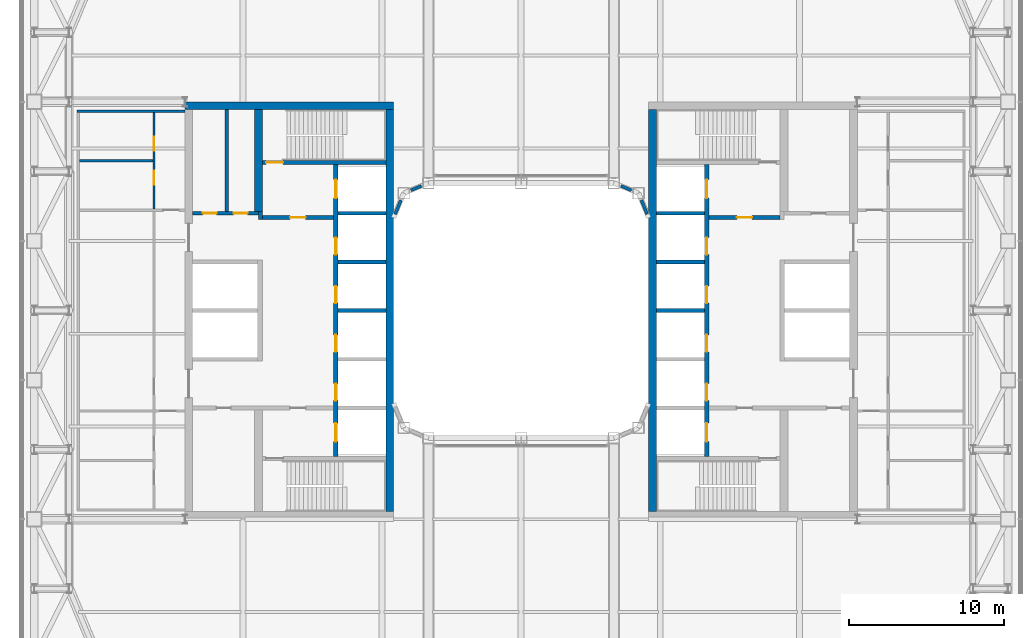
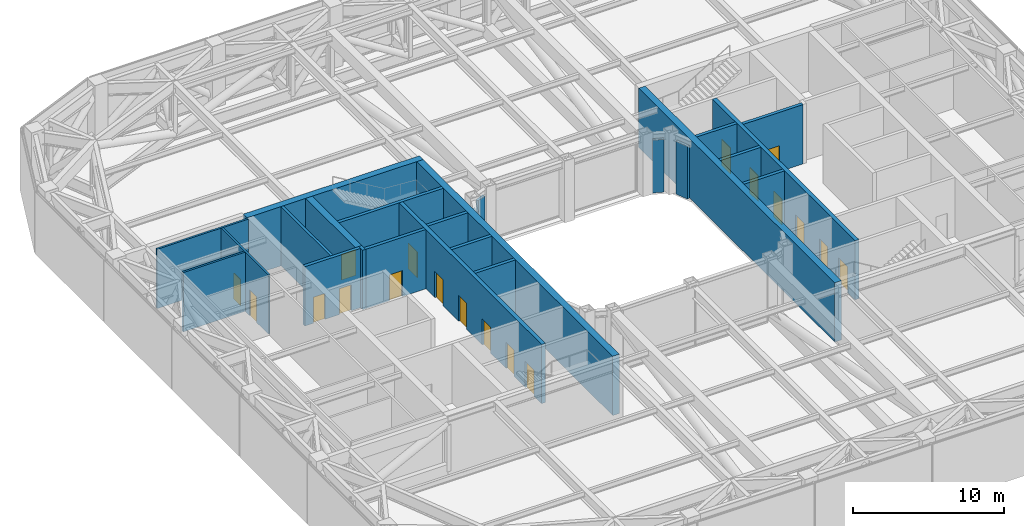
# One storey, part 17 of 33: 25 walls, 19 doors, 19 openings.
"""IFC4 building model written with IfcOpenShell, lengths in metres."""

from ifc_helpers import new_model, si_unit, direction, frame, frame_2d, origin, place, context, subcontext, project, spatial, rectangle, extrude, material, layer, layer_set, type_object, element, fill, save


model = new_model("IFC4")

# Units and contexts
model_context = context("Model", 3, precision=1e-05, world=origin(), true_north=direction((0.0, 1.0)))
body_context = subcontext(model_context, "Body", "Model", "MODEL_VIEW")
ifc_project = project(units=[si_unit("LENGTHUNIT", "METRE"), si_unit("AREAUNIT", "SQUARE_METRE"), si_unit("VOLUMEUNIT", "CUBIC_METRE"), si_unit("PLANEANGLEUNIT", "RADIAN"), si_unit("MASSUNIT", "GRAM", prefix="KILO")], contexts=[model_context])

# Site, building, storey
site_placement = place(None, origin())
site = spatial("IfcSite", under=ifc_project, at=site_placement, CompositionType="ELEMENT")
building_placement = place(site_placement, origin())
building = spatial("IfcBuilding", under=site, at=building_placement, Name="Siwar Civic Tower", CompositionType="ELEMENT")
storey_placement = place(building_placement, frame((0.0, 0.0, 94.199951171875)))
storey = spatial("IfcBuildingStorey", under=building, at=storey_placement, Name="L20", CompositionType="ELEMENT", Elevation=94.199951171875)

# Walls
ifc_material_1 = material(Name="Gypsum board on steel studs", Category="steel")
ifc_layer_1 = layer(ifc_material_1, 0.14990234375)
ifc_layer_set_1 = layer_set([ifc_layer_1], Name="Gypsum board on steel studs")
wall_type_1 = type_object("IfcWallType", Name="COMPARTMENT PARTITION 150 EI 60", PredefinedType="PARTITIONING", material=ifc_layer_set_1)
wall_1_placement = place(storey_placement, frame((-28.574951171875, 9.699951171875, 0.0), z_axis=(0.0, 0.0, 1.0), x_axis=(1.0, 0.0, 0.0)))
element("IfcWall", 1, at=wall_1_placement, inside=storey, type_object=wall_type_1, Name="L20/wall/P09", PredefinedType="PARTITIONING", context=body_context, shape_type="SweptSolid", body=[
    extrude(rectangle(XDim=4.75, YDim=0.14990234375, at=frame_2d((2.375, 0.0))), origin(), (0.0, 0.0, 1.0), 4.800048828125),
])
wall_2_placement = place(storey_placement, frame((-28.72509765625, 12.89990234375, 0.0), z_axis=(0.0, 0.0, 1.0), x_axis=(1.0, 0.0, 0.0)))
element("IfcWall", 2, at=wall_2_placement, inside=storey, type_object=wall_type_1, Name="L20/wall/P11", PredefinedType="PARTITIONING", context=body_context, shape_type="SweptSolid", body=[
    extrude(rectangle(XDim=6.97509765625, YDim=0.14990234375, at=frame_2d((3.487548828125, 0.0))), origin(), (0.0, 0.0, 1.0), 4.800048828125),
])

# Wall, openings, doors
wall_3_placement = place(storey_placement, frame((-23.75, 6.574951171875, 0.0), z_axis=(0.0, 0.0, 1.0), x_axis=(0.0, 1.0, 0.0)))
wall_3 = element("IfcWall", 3, at=wall_3_placement, inside=storey, type_object=wall_type_1, Name="L20/wall/P16", PredefinedType="PARTITIONING", context=body_context, shape_type="SweptSolid", body=[
    extrude(rectangle(XDim=6.25, YDim=0.14990234375, at=frame_2d((3.125, 0.0))), origin(), (0.0, 0.0, 1.0), 4.800048828125),
])
opening_1_placement = place(wall_3_placement, frame((1.574951171875, 0.0, 0.0)))
opening_1 = element("IfcOpeningElement", 4, at=opening_1_placement, cuts=wall_3, Name="Opening D4", PredefinedType="OPENING", context=body_context, shape_type="SweptSolid", body=[
    extrude(rectangle(XDim=0.89990234375, YDim=2.10009765625, at=frame_2d((0.449951171875, 1.050048828125))), frame((0.0, 0.0849609375, 0.0), z_axis=(0.0, -1.0, 0.0), x_axis=(1.0, 0.0, 0.0)), (0.0, 0.0, 1.0), 0.169921875),
])
opening_2_placement = place(wall_3_placement, frame((3.77490234375, 0.0, 0.0)))
opening_2 = element("IfcOpeningElement", 5, at=opening_2_placement, cuts=wall_3, Name="Opening D4", PredefinedType="OPENING", context=body_context, shape_type="SweptSolid", body=[
    extrude(rectangle(XDim=0.89990234375, YDim=2.10009765625, at=frame_2d((0.449951171875, 1.050048828125))), frame((0.0, 0.0849609375, 0.0), z_axis=(0.0, -1.0, 0.0), x_axis=(1.0, 0.0, 0.0)), (0.0, 0.0, 1.0), 0.169921875),
])
ifc_material_2 = material(Name="Timber, painted", Category="wood")
door_type_1 = type_object("IfcDoorType", Name="DOOR 900 X 2100 FD60", OperationType="SINGLE_SWING_LEFT", PredefinedType="DOOR", material=ifc_material_2)
door_1_placement = place(opening_1_placement, origin())
door_1 = element("IfcDoor", 6, at=door_1_placement, inside=storey, type_object=door_type_1, Name="L20-D11", OperationType="SINGLE_SWING_LEFT", OverallHeight=2.10009765625, OverallWidth=0.89990234375, PredefinedType="DOOR", context=body_context, shape_type="SweptSolid", body=[
    extrude(rectangle(XDim=0.89990234375, YDim=2.10009765625, at=frame_2d((0.449951171875, 1.050048828125))), frame((0.0, 0.02490234375, 0.0), z_axis=(0.0, -1.0, 0.0), x_axis=(1.0, 0.0, 0.0)), (0.0, 0.0, 1.0), 0.050048828125),
])
fill(opening_1, door_1)
door_2_placement = place(opening_2_placement, origin())
door_2 = element("IfcDoor", 7, at=door_2_placement, inside=storey, type_object=door_type_1, Name="L20-D12", OperationType="SINGLE_SWING_RIGHT", OverallHeight=2.10009765625, OverallWidth=0.89990234375, PredefinedType="DOOR", context=body_context, shape_type="SweptSolid", body=[
    extrude(rectangle(XDim=0.89990234375, YDim=2.10009765625, at=frame_2d((0.449951171875, 1.050048828125))), frame((0.0, 0.02490234375, 0.0), z_axis=(0.0, -1.0, 0.0), x_axis=(1.0, 0.0, 0.0)), (0.0, 0.0, 1.0), 0.050048828125),
])
fill(opening_2, door_2)

# Wall
ifc_material_3 = material(Name="Gypsum board on steel studs", Category="steel")
ifc_layer_2 = layer(ifc_material_3, 0.199951171875)
ifc_layer_set_2 = layer_set([ifc_layer_2], Name="Gypsum board on steel studs")
wall_type_2 = type_object("IfcWallType", Name="CORE-PARTITION-200", PredefinedType="PARTITIONING", material=ifc_layer_set_2)
wall_4_placement = place(storey_placement, frame((-19.050048828125, 6.425048828125, 0.0), z_axis=(0.0, 0.0, 1.0), x_axis=(0.0, 1.0, 0.0)))
element("IfcWall", 8, at=wall_4_placement, inside=storey, type_object=wall_type_2, Name="Core partition W", PredefinedType="PARTITIONING", context=body_context, shape_type="SweptSolid", body=[
    extrude(rectangle(XDim=6.574951171875, YDim=0.199951171875, at=frame_2d((3.28759765625, 0.0))), origin(), (0.0, 0.0, 1.0), 4.800048828125),
])

# Wall, opening, door
ifc_material_4 = material(Name="Concrete C60/75", Category="concrete")
ifc_layer_3 = layer(ifc_material_4, 0.25)
ifc_layer_set_3 = layer_set([ifc_layer_3], Name="Concrete C60/75")
wall_type_3 = type_object("IfcWallType", Name="CORE-WALL-RC250", PredefinedType="SHEAR", material=ifc_layer_set_3)
wall_5_placement = place(storey_placement, frame((-12.14990234375, 6.02490234375, 0.0), z_axis=(0.0, 0.0, 1.0), x_axis=(-1.0, 0.0, 0.0)))
wall_5 = element("IfcWall", 9, at=wall_5_placement, inside=storey, type_object=wall_type_3, Name="Core wall W", PredefinedType="SHEAR", context=body_context, shape_type="SweptSolid", body=[
    extrude(rectangle(XDim=4.60009765625, YDim=0.25, at=frame_2d((2.300048828125, 0.0))), origin(), (0.0, 0.0, 1.0), 4.800048828125),
])
opening_3_placement = place(wall_5_placement, frame((1.800048828125, 0.0, 0.0)))
opening_3 = element("IfcOpeningElement", 10, at=opening_3_placement, cuts=wall_5, Name="Opening L20-CW01", PredefinedType="OPENING", context=body_context, shape_type="SweptSolid", body=[
    extrude(rectangle(XDim=1.0, YDim=2.10009765625, at=frame_2d((0.5, 1.050048828125))), frame((0.0, 0.135009765625, 0.0), z_axis=(0.0, -1.0, 0.0), x_axis=(1.0, 0.0, 0.0)), (0.0, 0.0, 1.0), 0.27001953125),
])
ifc_material_5 = material(Name="Steel door leaf", Category="steel")
door_type_2 = type_object("IfcDoorType", Name="CORE-DOOR-FD30S", OperationType="SINGLE_SWING_LEFT", PredefinedType="DOOR", material=ifc_material_5)
door_3_placement = place(opening_3_placement, origin())
door_3 = element("IfcDoor", 11, at=door_3_placement, inside=storey, type_object=door_type_2, Name="Firefighting lobby door L20-CW01", OperationType="SINGLE_SWING_LEFT", OverallHeight=2.10009765625, OverallWidth=1.0, PredefinedType="DOOR", context=body_context, shape_type="SweptSolid", body=[
    extrude(rectangle(XDim=1.0, YDim=2.10009765625, at=frame_2d((0.5, 1.050048828125))), frame((0.0, 0.02490234375, 0.0), z_axis=(0.0, -1.0, 0.0), x_axis=(1.0, 0.0, 0.0)), (0.0, 0.0, 1.0), 0.050048828125),
])
fill(opening_3, door_3)

# Wall
wall_6_placement = place(storey_placement, frame((-16.875, 5.89990234375, 0.0), z_axis=(0.0, 0.0, 1.0), x_axis=(0.0, 1.0, 0.0)))
element("IfcWall", 12, at=wall_6_placement, inside=storey, type_object=wall_type_3, Name="Core wall W", PredefinedType="SHEAR", context=body_context, shape_type="SweptSolid", body=[
    extrude(rectangle(XDim=0.525146484375, YDim=0.25, at=frame_2d((0.2626953125, 0.0))), origin(), (0.0, 0.0, 1.0), 4.800048828125),
])

# Wall, openings, doors
wall_7_placement = place(storey_placement, frame((-17.0, 6.300048828125, 0.0), z_axis=(0.0, 0.0, 1.0), x_axis=(-1.0, 0.0, 0.0)))
wall_7 = element("IfcWall", 13, at=wall_7_placement, inside=storey, type_object=wall_type_3, Name="Core wall W", PredefinedType="SHEAR", context=body_context, shape_type="SweptSolid", body=[
    extrude(rectangle(XDim=4.25, YDim=0.25, at=frame_2d((2.125, 0.0))), origin(), (0.0, 0.0, 1.0), 4.800048828125),
])
opening_4_placement = place(wall_7_placement, frame((0.699951171875, 0.0, 0.0)))
opening_4 = element("IfcOpeningElement", 14, at=opening_4_placement, cuts=wall_7, Name="Opening L20-CW13", PredefinedType="OPENING", context=body_context, shape_type="SweptSolid", body=[
    extrude(rectangle(XDim=0.89990234375, YDim=2.10009765625, at=frame_2d((0.449951171875, 1.050048828125))), frame((0.0, 0.135009765625, 0.0), z_axis=(0.0, -1.0, 0.0), x_axis=(1.0, 0.0, 0.0)), (0.0, 0.0, 1.0), 0.27001953125),
])
opening_5_placement = place(wall_7_placement, frame((2.699951171875, 0.0, 0.0)))
opening_5 = element("IfcOpeningElement", 15, at=opening_5_placement, cuts=wall_7, Name="Opening L20-CW14", PredefinedType="OPENING", context=body_context, shape_type="SweptSolid", body=[
    extrude(rectangle(XDim=0.89990234375, YDim=2.10009765625, at=frame_2d((0.449951171875, 1.050048828125))), frame((0.0, 0.135009765625, 0.0), z_axis=(0.0, -1.0, 0.0), x_axis=(1.0, 0.0, 0.0)), (0.0, 0.0, 1.0), 0.27001953125),
])
ifc_material_6 = material(Name="Steel door leaf", Category="steel")
door_type_3 = type_object("IfcDoorType", Name="CORE-DOOR-ROOM", OperationType="SINGLE_SWING_LEFT", PredefinedType="DOOR", material=ifc_material_6)
door_4_placement = place(opening_4_placement, origin())
door_4 = element("IfcDoor", 16, at=door_4_placement, inside=storey, type_object=door_type_3, Name="Core room door L20-CW13", OperationType="SINGLE_SWING_RIGHT", OverallHeight=2.10009765625, OverallWidth=0.89990234375, PredefinedType="DOOR", context=body_context, shape_type="SweptSolid", body=[
    extrude(rectangle(XDim=0.89990234375, YDim=2.10009765625, at=frame_2d((0.449951171875, 1.050048828125))), frame((0.0, 0.02490234375, 0.0), z_axis=(0.0, -1.0, 0.0), x_axis=(1.0, 0.0, 0.0)), (0.0, 0.0, 1.0), 0.050048828125),
])
fill(opening_4, door_4)
door_5_placement = place(opening_5_placement, origin())
door_5 = element("IfcDoor", 17, at=door_5_placement, inside=storey, type_object=door_type_3, Name="Core room door L20-CW14", OperationType="SINGLE_SWING_LEFT", OverallHeight=2.10009765625, OverallWidth=0.89990234375, PredefinedType="DOOR", context=body_context, shape_type="SweptSolid", body=[
    extrude(rectangle(XDim=0.89990234375, YDim=2.10009765625, at=frame_2d((0.449951171875, 1.050048828125))), frame((0.0, 0.02490234375, 0.0), z_axis=(0.0, -1.0, 0.0), x_axis=(1.0, 0.0, 0.0)), (0.0, 0.0, 1.0), 0.050048828125),
])
fill(opening_5, door_5)

# Walls
for number, where, z_axis, x_axis, name in (
    (18, (-8.75, 0.0, 0.0), (0.0, 0.0, 1.0), (-1.0, 0.0, 0.0), "Core wall W"),
    (19, (-8.75, 3.14990234375, 0.0), (0.0, 0.0, 1.0), (-1.0, 0.0, 0.0), "Core wall W"),
    (20, (-8.75, 6.300048828125, 0.0), (0.0, 0.0, 1.0), (-1.0, 0.0, 0.0), "Core wall W"),
):
    element("IfcWall", number, at=place(storey_placement, frame(where, z_axis=z_axis, x_axis=x_axis)), inside=storey, type_object=wall_type_3, Name=name, PredefinedType="SHEAR", context=body_context, shape_type="SweptSolid", body=[
        extrude(rectangle(XDim=3.10009765625, YDim=0.25, at=frame_2d((1.550048828125, 0.0))), origin(), (0.0, 0.0, 1.0), 4.800048828125),
    ])

# Wall, opening, door
wall_8_placement = place(storey_placement, frame((-8.75, 9.574951171875, 0.0), z_axis=(0.0, 0.0, 1.0), x_axis=(-1.0, 0.0, 0.0)))
wall_8 = element("IfcWall", 21, at=wall_8_placement, inside=storey, type_object=wall_type_3, Name="Core wall W", PredefinedType="SHEAR", context=body_context, shape_type="SweptSolid", body=[
    extrude(rectangle(XDim=8.0, YDim=0.25, at=frame_2d((4.0, 0.0))), origin(), (0.0, 0.0, 1.0), 4.800048828125),
])
opening_6_placement = place(wall_8_placement, frame((6.64990234375, 0.0, 0.0)))
opening_6 = element("IfcOpeningElement", 22, at=opening_6_placement, cuts=wall_8, Name="Opening L20-CW03", PredefinedType="OPENING", context=body_context, shape_type="SweptSolid", body=[
    extrude(rectangle(XDim=1.10009765625, YDim=2.10009765625, at=frame_2d((0.550048828125, 1.050048828125))), frame((0.0, 0.135009765625, 0.0), z_axis=(0.0, -1.0, 0.0), x_axis=(1.0, 0.0, 0.0)), (0.0, 0.0, 1.0), 0.27001953125),
])
ifc_material_7 = material(Name="Steel door leaf", Category="steel")
door_type_4 = type_object("IfcDoorType", Name="CORE-DOOR-FD60S", OperationType="SINGLE_SWING_LEFT", PredefinedType="DOOR", material=ifc_material_7)
door_6_placement = place(opening_6_placement, origin())
door_6 = element("IfcDoor", 23, at=door_6_placement, inside=storey, type_object=door_type_4, Name="Stair door L20-CW03", OperationType="SINGLE_SWING_RIGHT", OverallHeight=2.10009765625, OverallWidth=1.10009765625, PredefinedType="DOOR", context=body_context, shape_type="SweptSolid", body=[
    extrude(rectangle(XDim=1.10009765625, YDim=2.10009765625, at=frame_2d((0.550048828125, 1.050048828125))), frame((0.0, 0.02490234375, 0.0), z_axis=(0.0, -1.0, 0.0), x_axis=(1.0, 0.0, 0.0)), (0.0, 0.0, 1.0), 0.050048828125),
])
fill(opening_6, door_6)

wall_9_placement = place(storey_placement, frame((12.14990234375, 6.02490234375, 0.0), z_axis=(0.0, 0.0, 1.0), x_axis=(1.0, 0.0, 0.0)))
wall_9 = element("IfcWall", 24, at=wall_9_placement, inside=storey, type_object=wall_type_3, Name="Core wall E", PredefinedType="SHEAR", context=body_context, shape_type="SweptSolid", body=[
    extrude(rectangle(XDim=4.60009765625, YDim=0.25, at=frame_2d((2.300048828125, 0.0))), origin(), (0.0, 0.0, 1.0), 4.800048828125),
])
opening_7_placement = place(wall_9_placement, frame((1.800048828125, 0.0, 0.0)))
opening_7 = element("IfcOpeningElement", 25, at=opening_7_placement, cuts=wall_9, Name="Opening L20-CE01", PredefinedType="OPENING", context=body_context, shape_type="SweptSolid", body=[
    extrude(rectangle(XDim=1.0, YDim=2.10009765625, at=frame_2d((0.5, 1.050048828125))), frame((0.0, 0.135009765625, 0.0), z_axis=(0.0, -1.0, 0.0), x_axis=(1.0, 0.0, 0.0)), (0.0, 0.0, 1.0), 0.27001953125),
])
door_7_placement = place(opening_7_placement, origin())
door_7 = element("IfcDoor", 26, at=door_7_placement, inside=storey, type_object=door_type_2, Name="Firefighting lobby door L20-CE01", OperationType="SINGLE_SWING_RIGHT", OverallHeight=2.10009765625, OverallWidth=1.0, PredefinedType="DOOR", context=body_context, shape_type="SweptSolid", body=[
    extrude(rectangle(XDim=1.0, YDim=2.10009765625, at=frame_2d((0.5, 1.050048828125))), frame((0.0, 0.02490234375, 0.0), z_axis=(0.0, -1.0, 0.0), x_axis=(1.0, 0.0, 0.0)), (0.0, 0.0, 1.0), 0.050048828125),
])
fill(opening_7, door_7)

# Walls
for number, where, z_axis, x_axis, name in (
    (27, (8.75, 0.0, 0.0), (0.0, 0.0, 1.0), (1.0, 0.0, 0.0), "Core wall E"),
    (28, (8.75, 3.14990234375, 0.0), (0.0, 0.0, 1.0), (1.0, 0.0, 0.0), "Core wall E"),
    (29, (8.75, 6.300048828125, 0.0), (0.0, 0.0, 1.0), (1.0, 0.0, 0.0), "Core wall E"),
):
    element("IfcWall", number, at=place(storey_placement, frame(where, z_axis=z_axis, x_axis=x_axis)), inside=storey, type_object=wall_type_3, Name=name, PredefinedType="SHEAR", context=body_context, shape_type="SweptSolid", body=[
        extrude(rectangle(XDim=3.10009765625, YDim=0.25, at=frame_2d((1.550048828125, 0.0))), origin(), (0.0, 0.0, 1.0), 4.800048828125),
    ])

# Wall, openings, doors
ifc_material_8 = material(Name="Concrete C60/75", Category="concrete")
ifc_layer_4 = layer(ifc_material_8, 0.300048828125)
ifc_layer_set_4 = layer_set([ifc_layer_4], Name="Concrete C60/75")
wall_type_4 = type_object("IfcWallType", Name="CORE-WALL-RC300", PredefinedType="SHEAR", material=ifc_layer_set_4)
wall_10_placement = place(storey_placement, frame((-12.0, -9.449951171875, 0.0), z_axis=(0.0, 0.0, 1.0), x_axis=(0.0, 1.0, 0.0)))
wall_10 = element("IfcWall", 30, at=wall_10_placement, inside=storey, type_object=wall_type_4, Name="Core wall W", PredefinedType="SHEAR", context=body_context, shape_type="SweptSolid", body=[
    extrude(rectangle(XDim=18.89990234375, YDim=0.300048828125, at=frame_2d((9.449951171875, 0.0))), origin(), (0.0, 0.0, 1.0), 4.800048828125),
])
opening_8_placement = place(wall_10_placement, frame((3.625, 0.0, 0.0)))
opening_8 = element("IfcOpeningElement", 31, at=opening_8_placement, cuts=wall_10, Name="Opening L20-CW07", PredefinedType="OPENING", context=body_context, shape_type="SweptSolid", body=[
    extrude(rectangle(XDim=1.10009765625, YDim=2.10009765625, at=frame_2d((0.550048828125, 1.050048828125))), frame((0.0, 0.16015625, 0.0), z_axis=(0.0, -1.0, 0.0), x_axis=(1.0, 0.0, 0.0)), (0.0, 0.0, 1.0), 0.320068359375),
])
opening_9_placement = place(wall_10_placement, frame((6.77490234375, 0.0, 0.0)))
opening_9 = element("IfcOpeningElement", 32, at=opening_9_placement, cuts=wall_10, Name="Opening L20-CW08", PredefinedType="OPENING", context=body_context, shape_type="SweptSolid", body=[
    extrude(rectangle(XDim=1.10009765625, YDim=2.10009765625, at=frame_2d((0.550048828125, 1.050048828125))), frame((0.0, 0.16015625, 0.0), z_axis=(0.0, -1.0, 0.0), x_axis=(1.0, 0.0, 0.0)), (0.0, 0.0, 1.0), 0.320068359375),
])
opening_10_placement = place(wall_10_placement, frame((9.925048828125, 0.0, 0.0)))
opening_10 = element("IfcOpeningElement", 33, at=opening_10_placement, cuts=wall_10, Name="Opening L20-CW09", PredefinedType="OPENING", context=body_context, shape_type="SweptSolid", body=[
    extrude(rectangle(XDim=1.10009765625, YDim=2.10009765625, at=frame_2d((0.550048828125, 1.050048828125))), frame((0.0, 0.16015625, 0.0), z_axis=(0.0, -1.0, 0.0), x_axis=(1.0, 0.0, 0.0)), (0.0, 0.0, 1.0), 0.320068359375),
])
opening_11_placement = place(wall_10_placement, frame((13.074951171875, 0.0, 0.0)))
opening_11 = element("IfcOpeningElement", 34, at=opening_11_placement, cuts=wall_10, Name="Opening L20-CW10", PredefinedType="OPENING", context=body_context, shape_type="SweptSolid", body=[
    extrude(rectangle(XDim=1.10009765625, YDim=2.10009765625, at=frame_2d((0.550048828125, 1.050048828125))), frame((0.0, 0.16015625, 0.0), z_axis=(0.0, -1.0, 0.0), x_axis=(1.0, 0.0, 0.0)), (0.0, 0.0, 1.0), 0.320068359375),
])
opening_12_placement = place(wall_10_placement, frame((16.72509765625, 0.0, 0.0)))
opening_12 = element("IfcOpeningElement", 35, at=opening_12_placement, cuts=wall_10, Name="Opening L20-CW11", PredefinedType="OPENING", context=body_context, shape_type="SweptSolid", body=[
    extrude(rectangle(XDim=1.199951171875, YDim=2.10009765625, at=frame_2d((0.60009765625, 1.050048828125))), frame((0.0, 0.16015625, 0.0), z_axis=(0.0, -1.0, 0.0), x_axis=(1.0, 0.0, 0.0)), (0.0, 0.0, 1.0), 0.320068359375),
])
opening_13_placement = place(wall_10_placement, frame((0.97509765625, 0.0, 0.0)))
opening_13 = element("IfcOpeningElement", 36, at=opening_13_placement, cuts=wall_10, Name="Opening L20-CW12", PredefinedType="OPENING", context=body_context, shape_type="SweptSolid", body=[
    extrude(rectangle(XDim=1.199951171875, YDim=2.10009765625, at=frame_2d((0.60009765625, 1.050048828125))), frame((0.0, 0.16015625, 0.0), z_axis=(0.0, -1.0, 0.0), x_axis=(1.0, 0.0, 0.0)), (0.0, 0.0, 1.0), 0.320068359375),
])
ifc_material_9 = material(Name="Steel door leaf", Category="steel")
door_type_5 = type_object("IfcDoorType", Name="CORE-DOOR-LD", OperationType="DOUBLE_DOOR_SLIDING", PredefinedType="DOOR", material=ifc_material_9)
door_8_placement = place(opening_8_placement, origin())
door_8 = element("IfcDoor", 37, at=door_8_placement, inside=storey, type_object=door_type_5, Name="Landing door LR1 L20-CW07", OperationType="DOUBLE_DOOR_SLIDING", OverallHeight=2.10009765625, OverallWidth=1.10009765625, PredefinedType="DOOR", context=body_context, shape_type="SweptSolid", body=[
    extrude(rectangle(XDim=1.10009765625, YDim=2.10009765625, at=frame_2d((0.550048828125, 1.050048828125))), frame((0.0, 0.02490234375, 0.0), z_axis=(0.0, -1.0, 0.0), x_axis=(1.0, 0.0, 0.0)), (0.0, 0.0, 1.0), 0.050048828125),
])
fill(opening_8, door_8)
door_9_placement = place(opening_9_placement, origin())
door_9 = element("IfcDoor", 38, at=door_9_placement, inside=storey, type_object=door_type_5, Name="Landing door LR2 L20-CW08", OperationType="DOUBLE_DOOR_SLIDING", OverallHeight=2.10009765625, OverallWidth=1.10009765625, PredefinedType="DOOR", context=body_context, shape_type="SweptSolid", body=[
    extrude(rectangle(XDim=1.10009765625, YDim=2.10009765625, at=frame_2d((0.550048828125, 1.050048828125))), frame((0.0, 0.02490234375, 0.0), z_axis=(0.0, -1.0, 0.0), x_axis=(1.0, 0.0, 0.0)), (0.0, 0.0, 1.0), 0.050048828125),
])
fill(opening_9, door_9)
door_10_placement = place(opening_10_placement, origin())
door_10 = element("IfcDoor", 39, at=door_10_placement, inside=storey, type_object=door_type_5, Name="Landing door LR3 L20-CW09", OperationType="DOUBLE_DOOR_SLIDING", OverallHeight=2.10009765625, OverallWidth=1.10009765625, PredefinedType="DOOR", context=body_context, shape_type="SweptSolid", body=[
    extrude(rectangle(XDim=1.10009765625, YDim=2.10009765625, at=frame_2d((0.550048828125, 1.050048828125))), frame((0.0, 0.02490234375, 0.0), z_axis=(0.0, -1.0, 0.0), x_axis=(1.0, 0.0, 0.0)), (0.0, 0.0, 1.0), 0.050048828125),
])
fill(opening_10, door_10)
door_11_placement = place(opening_11_placement, origin())
door_11 = element("IfcDoor", 40, at=door_11_placement, inside=storey, type_object=door_type_5, Name="Landing door LR4 L20-CW10", OperationType="DOUBLE_DOOR_SLIDING", OverallHeight=2.10009765625, OverallWidth=1.10009765625, PredefinedType="DOOR", context=body_context, shape_type="SweptSolid", body=[
    extrude(rectangle(XDim=1.10009765625, YDim=2.10009765625, at=frame_2d((0.550048828125, 1.050048828125))), frame((0.0, 0.02490234375, 0.0), z_axis=(0.0, -1.0, 0.0), x_axis=(1.0, 0.0, 0.0)), (0.0, 0.0, 1.0), 0.050048828125),
])
fill(opening_11, door_11)
ifc_material_10 = material(Name="Steel door leaf", Category="steel")
door_type_6 = type_object("IfcDoorType", Name="CORE-DOOR-LDW", OperationType="DOUBLE_DOOR_SLIDING", PredefinedType="DOOR", material=ifc_material_10)
door_12_placement = place(opening_12_placement, origin())
door_12 = element("IfcDoor", 41, at=door_12_placement, inside=storey, type_object=door_type_6, Name="Landing door FF1 L20-CW11", OperationType="DOUBLE_DOOR_SLIDING", OverallHeight=2.10009765625, OverallWidth=1.199951171875, PredefinedType="DOOR", context=body_context, shape_type="SweptSolid", body=[
    extrude(rectangle(XDim=1.199951171875, YDim=2.10009765625, at=frame_2d((0.60009765625, 1.050048828125))), frame((0.0, 0.02490234375, 0.0), z_axis=(0.0, -1.0, 0.0), x_axis=(1.0, 0.0, 0.0)), (0.0, 0.0, 1.0), 0.050048828125),
])
fill(opening_12, door_12)
door_13_placement = place(opening_13_placement, origin())
door_13 = element("IfcDoor", 42, at=door_13_placement, inside=storey, type_object=door_type_6, Name="Landing door SV1 L20-CW12", OperationType="DOUBLE_DOOR_SLIDING", OverallHeight=2.10009765625, OverallWidth=1.199951171875, PredefinedType="DOOR", context=body_context, shape_type="SweptSolid", body=[
    extrude(rectangle(XDim=1.199951171875, YDim=2.10009765625, at=frame_2d((0.60009765625, 1.050048828125))), frame((0.0, 0.02490234375, 0.0), z_axis=(0.0, -1.0, 0.0), x_axis=(1.0, 0.0, 0.0)), (0.0, 0.0, 1.0), 0.050048828125),
])
fill(opening_13, door_13)

wall_11_placement = place(storey_placement, frame((12.0, -9.449951171875, 0.0), z_axis=(0.0, 0.0, 1.0), x_axis=(0.0, 1.0, 0.0)))
wall_11 = element("IfcWall", 43, at=wall_11_placement, inside=storey, type_object=wall_type_4, Name="Core wall E", PredefinedType="SHEAR", context=body_context, shape_type="SweptSolid", body=[
    extrude(rectangle(XDim=18.89990234375, YDim=0.300048828125, at=frame_2d((9.449951171875, 0.0))), origin(), (0.0, 0.0, 1.0), 4.800048828125),
])
opening_14_placement = place(wall_11_placement, frame((3.625, 0.0, 0.0)))
opening_14 = element("IfcOpeningElement", 44, at=opening_14_placement, cuts=wall_11, Name="Opening L20-CE07", PredefinedType="OPENING", context=body_context, shape_type="SweptSolid", body=[
    extrude(rectangle(XDim=1.10009765625, YDim=2.10009765625, at=frame_2d((0.550048828125, 1.050048828125))), frame((0.0, 0.16015625, 0.0), z_axis=(0.0, -1.0, 0.0), x_axis=(1.0, 0.0, 0.0)), (0.0, 0.0, 1.0), 0.320068359375),
])
opening_15_placement = place(wall_11_placement, frame((6.77490234375, 0.0, 0.0)))
opening_15 = element("IfcOpeningElement", 45, at=opening_15_placement, cuts=wall_11, Name="Opening L20-CE08", PredefinedType="OPENING", context=body_context, shape_type="SweptSolid", body=[
    extrude(rectangle(XDim=1.10009765625, YDim=2.10009765625, at=frame_2d((0.550048828125, 1.050048828125))), frame((0.0, 0.16015625, 0.0), z_axis=(0.0, -1.0, 0.0), x_axis=(1.0, 0.0, 0.0)), (0.0, 0.0, 1.0), 0.320068359375),
])
opening_16_placement = place(wall_11_placement, frame((9.925048828125, 0.0, 0.0)))
opening_16 = element("IfcOpeningElement", 46, at=opening_16_placement, cuts=wall_11, Name="Opening L20-CE09", PredefinedType="OPENING", context=body_context, shape_type="SweptSolid", body=[
    extrude(rectangle(XDim=1.10009765625, YDim=2.10009765625, at=frame_2d((0.550048828125, 1.050048828125))), frame((0.0, 0.16015625, 0.0), z_axis=(0.0, -1.0, 0.0), x_axis=(1.0, 0.0, 0.0)), (0.0, 0.0, 1.0), 0.320068359375),
])
opening_17_placement = place(wall_11_placement, frame((13.074951171875, 0.0, 0.0)))
opening_17 = element("IfcOpeningElement", 47, at=opening_17_placement, cuts=wall_11, Name="Opening L20-CE10", PredefinedType="OPENING", context=body_context, shape_type="SweptSolid", body=[
    extrude(rectangle(XDim=1.10009765625, YDim=2.10009765625, at=frame_2d((0.550048828125, 1.050048828125))), frame((0.0, 0.16015625, 0.0), z_axis=(0.0, -1.0, 0.0), x_axis=(1.0, 0.0, 0.0)), (0.0, 0.0, 1.0), 0.320068359375),
])
opening_18_placement = place(wall_11_placement, frame((16.72509765625, 0.0, 0.0)))
opening_18 = element("IfcOpeningElement", 48, at=opening_18_placement, cuts=wall_11, Name="Opening L20-CE11", PredefinedType="OPENING", context=body_context, shape_type="SweptSolid", body=[
    extrude(rectangle(XDim=1.199951171875, YDim=2.10009765625, at=frame_2d((0.60009765625, 1.050048828125))), frame((0.0, 0.16015625, 0.0), z_axis=(0.0, -1.0, 0.0), x_axis=(1.0, 0.0, 0.0)), (0.0, 0.0, 1.0), 0.320068359375),
])
opening_19_placement = place(wall_11_placement, frame((0.97509765625, 0.0, 0.0)))
opening_19 = element("IfcOpeningElement", 49, at=opening_19_placement, cuts=wall_11, Name="Opening L20-CE12", PredefinedType="OPENING", context=body_context, shape_type="SweptSolid", body=[
    extrude(rectangle(XDim=1.199951171875, YDim=2.10009765625, at=frame_2d((0.60009765625, 1.050048828125))), frame((0.0, 0.16015625, 0.0), z_axis=(0.0, -1.0, 0.0), x_axis=(1.0, 0.0, 0.0)), (0.0, 0.0, 1.0), 0.320068359375),
])
door_14_placement = place(opening_14_placement, origin())
door_14 = element("IfcDoor", 50, at=door_14_placement, inside=storey, type_object=door_type_5, Name="Landing door LR5 L20-CE07", OperationType="DOUBLE_DOOR_SLIDING", OverallHeight=2.10009765625, OverallWidth=1.10009765625, PredefinedType="DOOR", context=body_context, shape_type="SweptSolid", body=[
    extrude(rectangle(XDim=1.10009765625, YDim=2.10009765625, at=frame_2d((0.550048828125, 1.050048828125))), frame((0.0, 0.02490234375, 0.0), z_axis=(0.0, -1.0, 0.0), x_axis=(1.0, 0.0, 0.0)), (0.0, 0.0, 1.0), 0.050048828125),
])
fill(opening_14, door_14)
door_15_placement = place(opening_15_placement, origin())
door_15 = element("IfcDoor", 51, at=door_15_placement, inside=storey, type_object=door_type_5, Name="Landing door LR6 L20-CE08", OperationType="DOUBLE_DOOR_SLIDING", OverallHeight=2.10009765625, OverallWidth=1.10009765625, PredefinedType="DOOR", context=body_context, shape_type="SweptSolid", body=[
    extrude(rectangle(XDim=1.10009765625, YDim=2.10009765625, at=frame_2d((0.550048828125, 1.050048828125))), frame((0.0, 0.02490234375, 0.0), z_axis=(0.0, -1.0, 0.0), x_axis=(1.0, 0.0, 0.0)), (0.0, 0.0, 1.0), 0.050048828125),
])
fill(opening_15, door_15)
door_16_placement = place(opening_16_placement, origin())
door_16 = element("IfcDoor", 52, at=door_16_placement, inside=storey, type_object=door_type_5, Name="Landing door LR7 L20-CE09", OperationType="DOUBLE_DOOR_SLIDING", OverallHeight=2.10009765625, OverallWidth=1.10009765625, PredefinedType="DOOR", context=body_context, shape_type="SweptSolid", body=[
    extrude(rectangle(XDim=1.10009765625, YDim=2.10009765625, at=frame_2d((0.550048828125, 1.050048828125))), frame((0.0, 0.02490234375, 0.0), z_axis=(0.0, -1.0, 0.0), x_axis=(1.0, 0.0, 0.0)), (0.0, 0.0, 1.0), 0.050048828125),
])
fill(opening_16, door_16)
door_17_placement = place(opening_17_placement, origin())
door_17 = element("IfcDoor", 53, at=door_17_placement, inside=storey, type_object=door_type_5, Name="Landing door LR8 L20-CE10", OperationType="DOUBLE_DOOR_SLIDING", OverallHeight=2.10009765625, OverallWidth=1.10009765625, PredefinedType="DOOR", context=body_context, shape_type="SweptSolid", body=[
    extrude(rectangle(XDim=1.10009765625, YDim=2.10009765625, at=frame_2d((0.550048828125, 1.050048828125))), frame((0.0, 0.02490234375, 0.0), z_axis=(0.0, -1.0, 0.0), x_axis=(1.0, 0.0, 0.0)), (0.0, 0.0, 1.0), 0.050048828125),
])
fill(opening_17, door_17)
door_18_placement = place(opening_18_placement, origin())
door_18 = element("IfcDoor", 54, at=door_18_placement, inside=storey, type_object=door_type_6, Name="Landing door FF2 L20-CE11", OperationType="DOUBLE_DOOR_SLIDING", OverallHeight=2.10009765625, OverallWidth=1.199951171875, PredefinedType="DOOR", context=body_context, shape_type="SweptSolid", body=[
    extrude(rectangle(XDim=1.199951171875, YDim=2.10009765625, at=frame_2d((0.60009765625, 1.050048828125))), frame((0.0, 0.02490234375, 0.0), z_axis=(0.0, -1.0, 0.0), x_axis=(1.0, 0.0, 0.0)), (0.0, 0.0, 1.0), 0.050048828125),
])
fill(opening_18, door_18)
door_19_placement = place(opening_19_placement, origin())
door_19 = element("IfcDoor", 55, at=door_19_placement, inside=storey, type_object=door_type_6, Name="Landing door SV2 L20-CE12", OperationType="DOUBLE_DOOR_SLIDING", OverallHeight=2.10009765625, OverallWidth=1.199951171875, PredefinedType="DOOR", context=body_context, shape_type="SweptSolid", body=[
    extrude(rectangle(XDim=1.199951171875, YDim=2.10009765625, at=frame_2d((0.60009765625, 1.050048828125))), frame((0.0, 0.02490234375, 0.0), z_axis=(0.0, -1.0, 0.0), x_axis=(1.0, 0.0, 0.0)), (0.0, 0.0, 1.0), 0.050048828125),
])
fill(opening_19, door_19)

# Walls
ifc_material_11 = material(Name="Concrete C60/75", Category="concrete")
ifc_layer_5 = layer(ifc_material_11, 0.5)
ifc_layer_set_5 = layer_set([ifc_layer_5], Name="Concrete C60/75")
wall_type_5 = type_object("IfcWallType", Name="CORE-WALL-RC500", PredefinedType="SHEAR", material=ifc_layer_set_5)
wall_12_placement = place(storey_placement, frame((-17.0, 6.425048828125, 0.0), z_axis=(0.0, 0.0, 1.0), x_axis=(0.0, 1.0, 0.0)))
element("IfcWall", 56, at=wall_12_placement, inside=storey, type_object=wall_type_5, Name="Core wall W", PredefinedType="SHEAR", context=body_context, shape_type="SweptSolid", body=[
    extrude(rectangle(XDim=6.574951171875, YDim=0.5, at=frame_2d((3.28759765625, 0.0))), origin(), (0.0, 0.0, 1.0), 4.800048828125),
])
wall_13_placement = place(storey_placement, frame((-8.25, 13.25, 0.0), z_axis=(0.0, 0.0, 1.0), x_axis=(-1.0, 0.0, 0.0)))
element("IfcWall", 57, at=wall_13_placement, inside=storey, type_object=wall_type_5, Name="Core wall W", PredefinedType="SHEAR", context=body_context, shape_type="SweptSolid", body=[
    extrude(rectangle(XDim=13.5, YDim=0.5, at=frame_2d((6.75, 0.0))), origin(), (0.0, 0.0, 1.0), 4.800048828125),
])
ifc_material_12 = material(Name="Concrete C60/75", Category="concrete")
ifc_layer_6 = layer(ifc_material_12, 0.5)
ifc_layer_set_6 = layer_set([ifc_layer_6], Name="Concrete C60/75")
wall_type_6 = type_object("IfcWallType", Name="CORE-WALL-RC500-EXT", PredefinedType="SHEAR", material=ifc_layer_set_6)
for number, where, z_axis, x_axis, name in (
    (58, (-8.5, -13.0, 0.0), (0.0, 0.0, 1.0), (0.0, 1.0, 0.0), "Core wall W"),
    (59, (8.5, -13.0, 0.0), (0.0, 0.0, 1.0), (0.0, 1.0, 0.0), "Core wall E"),
):
    element("IfcWall", number, at=place(storey_placement, frame(where, z_axis=z_axis, x_axis=x_axis)), inside=storey, type_object=wall_type_6, Name=name, PredefinedType="SHEAR", context=body_context, shape_type="SweptSolid", body=[
        extrude(rectangle(XDim=26.0, YDim=0.5, at=frame_2d((13.0, 0.0))), origin(), (0.0, 0.0, 1.0), 4.800048828125),
    ])
ifc_material_13 = material(Name="Aluminium clad insulated panel", Category="aluminium")
ifc_layer_7 = layer(ifc_material_13, 0.199951171875)
ifc_layer_set_7 = layer_set([ifc_layer_7], Name="Aluminium clad insulated panel")
wall_type_7 = type_object("IfcWallType", Name="ENV-WALL-WELL", PredefinedType="STANDARD", material=ifc_layer_set_7)
wall_14_placement = place(storey_placement, frame((8.154296875, 6.23095703125, 0.0), z_axis=(0.0, 0.0, 1.0), x_axis=(-0.382549378284, 0.923935048136, 0.0)))
element("IfcWall", 60, at=wall_14_placement, inside=storey, type_object=wall_type_7, Name="Light well corner wall NE1", PredefinedType="STANDARD", context=body_context, shape_type="SweptSolid", body=[
    extrude(rectangle(XDim=0.982177734375, YDim=0.199951171875, at=frame_2d((0.4912109375, 0.0))), origin(), (0.0, 0.0, 1.0), 4.276123046875),
])
for number, where, z_axis, x_axis, name in (
    (61, (7.138427734375, 7.778564453125, 0.0), (0.0, 0.0, 1.0), (-0.923940677943, 0.382535780864, 0.0), "Light well corner wall NE2"),
    (62, (-6.45263671875, 8.0625, 0.0), (0.0, 0.0, 1.0), (-0.923940677943, -0.382535780864, 0.0), "Light well corner wall NW1"),
):
    element("IfcWall", number, at=place(storey_placement, frame(where, z_axis=z_axis, x_axis=x_axis)), inside=storey, type_object=wall_type_7, Name=name, PredefinedType="STANDARD", context=body_context, shape_type="SweptSolid", body=[
        extrude(rectangle(XDim=0.7421875, YDim=0.199951171875, at=frame_2d((0.37109375, 0.0))), origin(), (0.0, 0.0, 1.0), 4.276123046875),
    ])
wall_15_placement = place(storey_placement, frame((-7.778564453125, 7.138427734375, 0.0), z_axis=(0.0, 0.0, 1.0), x_axis=(-0.382549378284, -0.923935048136, 0.0)))
element("IfcWall", 63, at=wall_15_placement, inside=storey, type_object=wall_type_7, Name="Light well corner wall NW2", PredefinedType="STANDARD", context=body_context, shape_type="SweptSolid", body=[
    extrude(rectangle(XDim=0.982177734375, YDim=0.199951171875, at=frame_2d((0.4912109375, 0.0))), origin(), (0.0, 0.0, 1.0), 4.276123046875),
])

save(model, "model.ifc")
